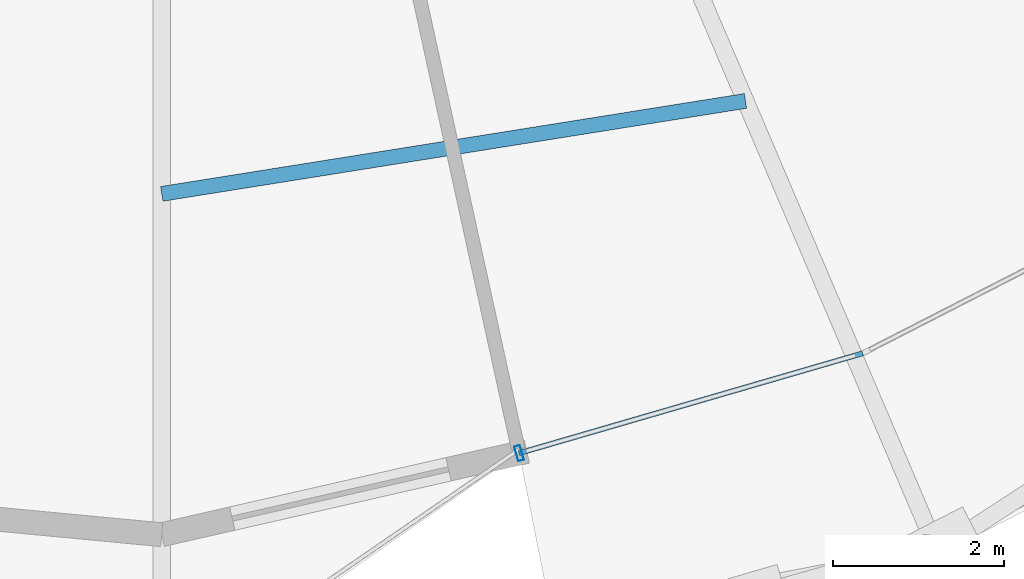
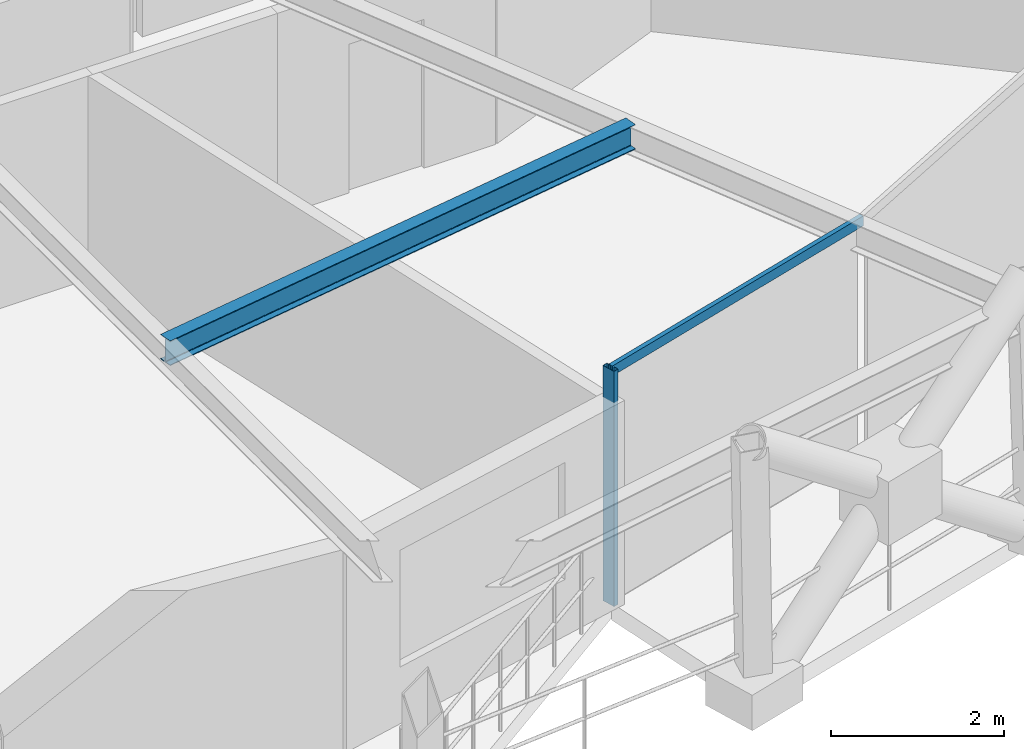
# One storey, part 2 of 17: 2 members, 1 beam, 1 element without a shape of its own.
"""IFC4 building model written with IfcOpenShell, lengths in metres."""

from ifc_helpers import new_model, si_unit, direction, frame, origin, origin_2d, place, context, subcontext, project, spatial, hollow_rectangle, i_section, extrude, material, layer, layer_set, material_profile, profile_set, type_object, element, aggregate, save


model = new_model("IFC4")

# Units and contexts
model_context = context("Model", 3, precision=1e-05, world=origin(), true_north=direction((0.0, 1.0)))
body_context = subcontext(model_context, "Body", "Model", "MODEL_VIEW")
ifc_project = project(units=[si_unit("LENGTHUNIT", "METRE"), si_unit("AREAUNIT", "SQUARE_METRE"), si_unit("VOLUMEUNIT", "CUBIC_METRE"), si_unit("PLANEANGLEUNIT", "RADIAN"), si_unit("MASSUNIT", "GRAM", prefix="KILO")], contexts=[model_context])

# Site, building, storey
site_placement = place(None, origin())
site = spatial("IfcSite", under=ifc_project, at=site_placement, CompositionType="ELEMENT")
building_placement = place(site_placement, origin())
building = spatial("IfcBuilding", under=site, at=building_placement, Name="Veldorina Hangang Commons", CompositionType="ELEMENT")
storey_placement = place(building_placement, frame((0.0, 0.0, 236.39990234375)))
storey = spatial("IfcBuildingStorey", under=building, at=storey_placement, Name="L61", CompositionType="ELEMENT", Elevation=236.39990234375)

# Beam
ifc_material_1 = material(Name="Steel SM355-TMC", Category="steel")
ifc_material_profile_1 = material_profile(ifc_material_1, i_section(OverallWidth=0.175048828125, OverallDepth=0.35009765625, WebThickness=0.007080078125, FlangeThickness=0.010986328125, FilletRadius=0.012939453125, at=origin_2d()), Name="H-350x175x7x11")
ifc_profile_set_1 = profile_set([ifc_material_profile_1], Name="Steel SM355-TMC")
beam_type = type_object("IfcBeamType", Name="BM-JST350", PredefinedType="JOIST", material=ifc_profile_set_1)
beam_placement = place(storey_placement, frame((32.0, 6.849853515625, 3.18505859375), z_axis=(0.987557313019, 0.157259510053, 0.0), x_axis=(-0.157259510053, 0.987557313019, 0.0)))
element("IfcBeam", 1, at=beam_placement, inside=storey, type_object=beam_type, Name="L61 secondary floor joist 13", PredefinedType="JOIST", context=body_context, shape_type="SweptSolid", body=[
    extrude(i_section(OverallWidth=0.175048828125, OverallDepth=0.35009765625, WebThickness=0.007080078125, FlangeThickness=0.010986328125, FilletRadius=0.012939453125, at=origin_2d()), origin(), (0.0, 0.0, 1.0), 6.93017578125),
])

# Curtain wall, members
ifc_material_2 = material(Name="Glass Low-E Selective", Category="glass")
ifc_layer = layer(ifc_material_2, 0.179931640625)
ifc_layer_set = layer_set([ifc_layer], Name="Glass Low-E Selective")
curtain_wall_type = type_object("IfcCurtainWallType", Name="CW-SYS-Z3", PredefinedType="NOTDEFINED", material=ifc_layer_set)
curtain_wall_placement = place(storey_placement, origin())
curtain_wall = element("IfcCurtainWall", 2, at=curtain_wall_placement, inside=storey, type_object=curtain_wall_type, Name="L61 unitised curtain wall CW-L61-R1", PredefinedType="NOTDEFINED")
ifc_material_3 = material(Name="Aluminium Anodized AA6063-T6", Category="aluminium")
ifc_material_profile_2 = material_profile(ifc_material_3, hollow_rectangle(XDim=0.070068359375, YDim=0.179931640625, WallThickness=0.00390625, at=origin_2d()), Name="ALU-RHS-180x70x4")
ifc_profile_set_2 = profile_set([ifc_material_profile_2], Name="Aluminium Anodized AA6063-T6")
member_type_1 = type_object("IfcMemberType", Name="CW-MUL-180", PredefinedType="MULLION", material=ifc_profile_set_2)
member_1_placement = place(storey_placement, frame((36.189697265625, 3.8095703125, 0.0), z_axis=(0.0, 0.0, 1.0), x_axis=(0.960235232855, 0.279192223358, 0.0)))
member_1 = element("IfcMember", 3, at=member_1_placement, type_object=member_type_1, Name="CW-L61-R1 vertical mullion 1", PredefinedType="MULLION", context=body_context, shape_type="SweptSolid", body=[
    extrude(hollow_rectangle(XDim=0.070068359375, YDim=0.179931640625, WallThickness=0.00390625, at=origin_2d()), origin(), (0.0, 0.0, 1.0), 3.320068359375),
])
ifc_material_profile_3 = material_profile(ifc_material_3, hollow_rectangle(XDim=0.06005859375, YDim=0.139892578125, WallThickness=0.00341796875, at=origin_2d()), Name="ALU-RHS-140x60x3.5")
ifc_profile_set_3 = profile_set([ifc_material_profile_3], Name="Aluminium Anodized AA6063-T6")
member_type_2 = type_object("IfcMemberType", Name="CW-TRN-140", PredefinedType="USERDEFINED", material=ifc_profile_set_3)
member_2_placement = place(storey_placement, frame((36.189697265625, 3.8095703125, 3.280029296875), z_axis=(0.960235580885, 0.279191026366, 0.0), x_axis=(-0.279191026366, 0.960235580885, 0.0)))
member_2 = element("IfcMember", 4, at=member_2_placement, type_object=member_type_2, Name="CW-L61-R1 facet 1 transom 1", ObjectType="TRANSOM", PredefinedType="USERDEFINED", context=body_context, shape_type="SweptSolid", body=[
    extrude(hollow_rectangle(XDim=0.06005859375, YDim=0.139892578125, WallThickness=0.00341796875, at=origin_2d()), origin(), (0.0, 0.0, 1.0), 4.195556640625),
])
aggregate(curtain_wall, [member_1, member_2])

save(model, "model.ifc")
